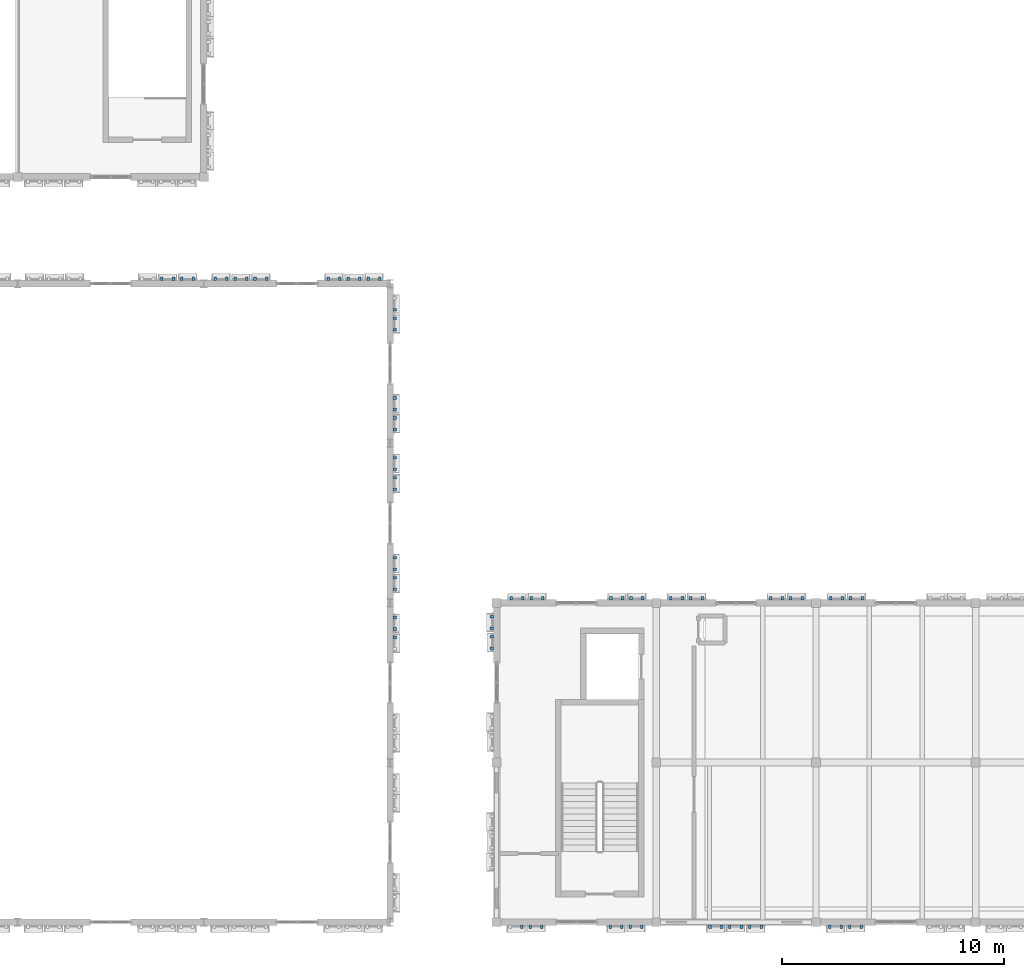
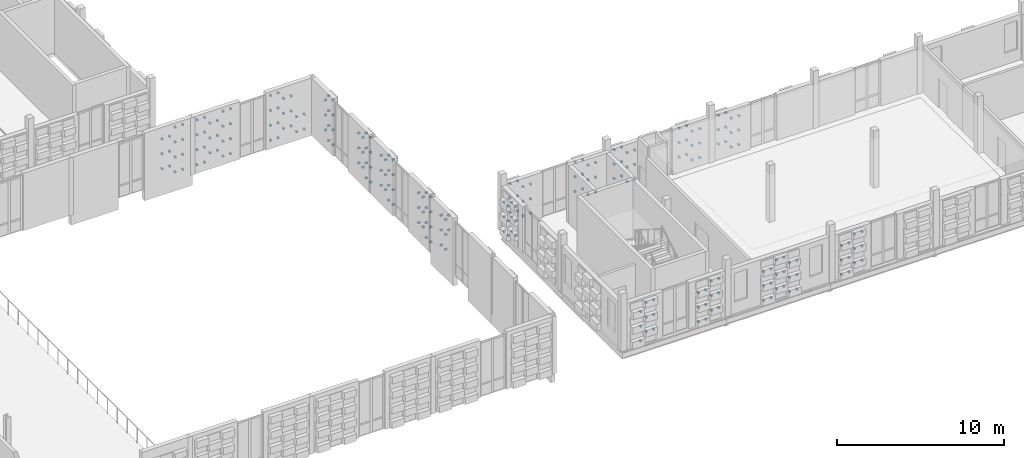
# One storey, part 68 of 81: 238 discrete accessories.
"""IFC4 building model written with IfcOpenShell, lengths in metres."""

from ifc_helpers import new_model, si_unit, direction, frame, origin, origin_2d, place, context, subcontext, project, spatial, rectangle, extrude, material, type_object, element, save


model = new_model("IFC4")

# Units and contexts
model_context = context("Model", 3, precision=1e-05, world=origin(), true_north=direction((0.0, 1.0)))
body_context = subcontext(model_context, "Body", "Model", "MODEL_VIEW")
ifc_project = project(units=[si_unit("LENGTHUNIT", "METRE"), si_unit("AREAUNIT", "SQUARE_METRE"), si_unit("VOLUMEUNIT", "CUBIC_METRE"), si_unit("PLANEANGLEUNIT", "RADIAN"), si_unit("MASSUNIT", "GRAM", prefix="KILO")], contexts=[model_context])

# Site, building, storey
site_placement = place(None, origin())
site = spatial("IfcSite", under=ifc_project, at=site_placement, CompositionType="ELEMENT")
building_placement = place(site_placement, origin())
building = spatial("IfcBuilding", under=site, at=building_placement, Name="Kahlenmark Community Centre", CompositionType="ELEMENT")
storey_placement = place(building_placement, frame((0.0, 0.0, 9.60009765625)))
storey = spatial("IfcBuildingStorey", under=building, at=storey_placement, Name="L02", CompositionType="ELEMENT", Elevation=9.60009765625)

# Discrete accessories
ifc_material = material(Name="Stainless steel 1.4401 rainscreen bracket", Category="steel")
discrete_accessory_type = type_object("IfcDiscreteAccessoryType", Name="DAT-BRACKET-TC", PredefinedType="BRACKET", material=ifc_material)
for number, where, z_axis, x_axis, name in (
    (1, (37.1298828125, 37.81005859375, 0.292724609375), (0.0, 0.0, 1.0), (-1.0, 0.0, 0.0), "Terracotta cassette bracket 2085.1"),
    (2, (36.610107421875, 37.81005859375, 0.292724609375), (0.0, 0.0, 1.0), (-1.0, 0.0, 0.0), "Terracotta cassette bracket 2085.2"),
    (3, (37.1298828125, 37.81005859375, 1.384765625), (0.0, 0.0, 1.0), (-1.0, 0.0, 0.0), "Terracotta cassette bracket 2087.1"),
    (4, (36.610107421875, 37.81005859375, 1.384765625), (0.0, 0.0, 1.0), (-1.0, 0.0, 0.0), "Terracotta cassette bracket 2087.2"),
    (5, (37.1298828125, 37.81005859375, 2.476806640625), (0.0, 0.0, 1.0), (-1.0, 0.0, 0.0), "Terracotta cassette bracket 2089.1"),
    (6, (36.610107421875, 37.81005859375, 2.476806640625), (0.0, 0.0, 1.0), (-1.0, 0.0, 0.0), "Terracotta cassette bracket 2089.2"),
    (7, (37.1298828125, 37.81005859375, 3.56884765625), (0.0, 0.0, 1.0), (-1.0, 0.0, 0.0), "Terracotta cassette bracket 2091.1"),
    (8, (36.610107421875, 37.81005859375, 3.56884765625), (0.0, 0.0, 1.0), (-1.0, 0.0, 0.0), "Terracotta cassette bracket 2091.2"),
    (9, (36.22998046875, 37.81005859375, 0.8388671875), (0.0, 0.0, 1.0), (-1.0, 0.0, 0.0), "Terracotta cassette bracket 2093.1"),
    (10, (35.7099609375, 37.81005859375, 0.8388671875), (0.0, 0.0, 1.0), (-1.0, 0.0, 0.0), "Terracotta cassette bracket 2093.2"),
    (11, (36.22998046875, 37.81005859375, 1.930908203125), (0.0, 0.0, 1.0), (-1.0, 0.0, 0.0), "Terracotta cassette bracket 2095.1"),
    (12, (35.7099609375, 37.81005859375, 1.930908203125), (0.0, 0.0, 1.0), (-1.0, 0.0, 0.0), "Terracotta cassette bracket 2095.2"),
    (13, (36.22998046875, 37.81005859375, 3.02294921875), (0.0, 0.0, 1.0), (-1.0, 0.0, 0.0), "Terracotta cassette bracket 2097.1"),
    (14, (35.7099609375, 37.81005859375, 3.02294921875), (0.0, 0.0, 1.0), (-1.0, 0.0, 0.0), "Terracotta cassette bracket 2097.2"),
    (15, (45.530029296875, 37.81005859375, 0.292724609375), (0.0, 0.0, 1.0), (-1.0, 0.0, 0.0), "Terracotta cassette bracket 2127.1"),
    (16, (45.010009765625, 37.81005859375, 0.292724609375), (0.0, 0.0, 1.0), (-1.0, 0.0, 0.0), "Terracotta cassette bracket 2127.2"),
    (17, (45.530029296875, 37.81005859375, 1.384765625), (0.0, 0.0, 1.0), (-1.0, 0.0, 0.0), "Terracotta cassette bracket 2129.1"),
    (18, (45.010009765625, 37.81005859375, 1.384765625), (0.0, 0.0, 1.0), (-1.0, 0.0, 0.0), "Terracotta cassette bracket 2129.2"),
    (19, (44.6298828125, 37.81005859375, 0.8388671875), (0.0, 0.0, 1.0), (-1.0, 0.0, 0.0), "Terracotta cassette bracket 2135.1"),
    (20, (44.110107421875, 37.81005859375, 0.8388671875), (0.0, 0.0, 1.0), (-1.0, 0.0, 0.0), "Terracotta cassette bracket 2135.2"),
    (21, (44.6298828125, 37.81005859375, 1.930908203125), (0.0, 0.0, 1.0), (-1.0, 0.0, 0.0), "Terracotta cassette bracket 2137.1"),
    (22, (44.110107421875, 37.81005859375, 1.930908203125), (0.0, 0.0, 1.0), (-1.0, 0.0, 0.0), "Terracotta cassette bracket 2137.2"),
    (23, (44.6298828125, 37.81005859375, 3.02294921875), (0.0, 0.0, 1.0), (-1.0, 0.0, 0.0), "Terracotta cassette bracket 2139.1"),
    (24, (44.110107421875, 37.81005859375, 3.02294921875), (0.0, 0.0, 1.0), (-1.0, 0.0, 0.0), "Terracotta cassette bracket 2139.2"),
    (25, (43.72998046875, 37.81005859375, 0.292724609375), (0.0, 0.0, 1.0), (-1.0, 0.0, 0.0), "Terracotta cassette bracket 2141.1"),
    (26, (43.2099609375, 37.81005859375, 0.292724609375), (0.0, 0.0, 1.0), (-1.0, 0.0, 0.0), "Terracotta cassette bracket 2141.2"),
    (27, (43.72998046875, 37.81005859375, 1.384765625), (0.0, 0.0, 1.0), (-1.0, 0.0, 0.0), "Terracotta cassette bracket 2143.1"),
    (28, (43.2099609375, 37.81005859375, 1.384765625), (0.0, 0.0, 1.0), (-1.0, 0.0, 0.0), "Terracotta cassette bracket 2143.2"),
    (29, (43.72998046875, 37.81005859375, 2.476806640625), (0.0, 0.0, 1.0), (-1.0, 0.0, 0.0), "Terracotta cassette bracket 2145.1"),
    (30, (43.2099609375, 37.81005859375, 2.476806640625), (0.0, 0.0, 1.0), (-1.0, 0.0, 0.0), "Terracotta cassette bracket 2145.2"),
    (31, (43.72998046875, 37.81005859375, 3.56884765625), (0.0, 0.0, 1.0), (-1.0, 0.0, 0.0), "Terracotta cassette bracket 2147.1"),
    (32, (43.2099609375, 37.81005859375, 3.56884765625), (0.0, 0.0, 1.0), (-1.0, 0.0, 0.0), "Terracotta cassette bracket 2147.2"),
    (33, (40.429931640625, 37.81005859375, 0.292724609375), (0.0, 0.0, 1.0), (-1.0, 0.0, 0.0), "Terracotta cassette bracket 2148.1"),
    (34, (39.909912109375, 37.81005859375, 0.292724609375), (0.0, 0.0, 1.0), (-1.0, 0.0, 0.0), "Terracotta cassette bracket 2148.2"),
    (35, (40.429931640625, 37.81005859375, 1.384765625), (0.0, 0.0, 1.0), (-1.0, 0.0, 0.0), "Terracotta cassette bracket 2150.1"),
    (36, (39.909912109375, 37.81005859375, 1.384765625), (0.0, 0.0, 1.0), (-1.0, 0.0, 0.0), "Terracotta cassette bracket 2150.2"),
    (37, (40.429931640625, 37.81005859375, 2.476806640625), (0.0, 0.0, 1.0), (-1.0, 0.0, 0.0), "Terracotta cassette bracket 2152.1"),
    (38, (39.909912109375, 37.81005859375, 2.476806640625), (0.0, 0.0, 1.0), (-1.0, 0.0, 0.0), "Terracotta cassette bracket 2152.2"),
    (39, (40.429931640625, 37.81005859375, 3.56884765625), (0.0, 0.0, 1.0), (-1.0, 0.0, 0.0), "Terracotta cassette bracket 2154.1"),
    (40, (39.909912109375, 37.81005859375, 3.56884765625), (0.0, 0.0, 1.0), (-1.0, 0.0, 0.0), "Terracotta cassette bracket 2154.2"),
    (41, (39.530029296875, 37.81005859375, 0.8388671875), (0.0, 0.0, 1.0), (-1.0, 0.0, 0.0), "Terracotta cassette bracket 2156.1"),
    (42, (39.010009765625, 37.81005859375, 0.8388671875), (0.0, 0.0, 1.0), (-1.0, 0.0, 0.0), "Terracotta cassette bracket 2156.2"),
    (43, (39.530029296875, 37.81005859375, 1.930908203125), (0.0, 0.0, 1.0), (-1.0, 0.0, 0.0), "Terracotta cassette bracket 2158.1"),
    (44, (39.010009765625, 37.81005859375, 1.930908203125), (0.0, 0.0, 1.0), (-1.0, 0.0, 0.0), "Terracotta cassette bracket 2158.2"),
    (45, (39.530029296875, 37.81005859375, 3.02294921875), (0.0, 0.0, 1.0), (-1.0, 0.0, 0.0), "Terracotta cassette bracket 2160.1"),
    (46, (39.010009765625, 37.81005859375, 3.02294921875), (0.0, 0.0, 1.0), (-1.0, 0.0, 0.0), "Terracotta cassette bracket 2160.2"),
    (47, (38.6298828125, 37.81005859375, 0.292724609375), (0.0, 0.0, 1.0), (-1.0, 0.0, 0.0), "Terracotta cassette bracket 2162.1"),
    (48, (38.110107421875, 37.81005859375, 0.292724609375), (0.0, 0.0, 1.0), (-1.0, 0.0, 0.0), "Terracotta cassette bracket 2162.2"),
    (49, (38.6298828125, 37.81005859375, 1.384765625), (0.0, 0.0, 1.0), (-1.0, 0.0, 0.0), "Terracotta cassette bracket 2164.1"),
    (50, (38.110107421875, 37.81005859375, 1.384765625), (0.0, 0.0, 1.0), (-1.0, 0.0, 0.0), "Terracotta cassette bracket 2164.2"),
    (51, (38.6298828125, 37.81005859375, 2.476806640625), (0.0, 0.0, 1.0), (-1.0, 0.0, 0.0), "Terracotta cassette bracket 2166.1"),
    (52, (38.110107421875, 37.81005859375, 2.476806640625), (0.0, 0.0, 1.0), (-1.0, 0.0, 0.0), "Terracotta cassette bracket 2166.2"),
    (53, (38.6298828125, 37.81005859375, 3.56884765625), (0.0, 0.0, 1.0), (-1.0, 0.0, 0.0), "Terracotta cassette bracket 2168.1"),
    (54, (38.110107421875, 37.81005859375, 3.56884765625), (0.0, 0.0, 1.0), (-1.0, 0.0, 0.0), "Terracotta cassette bracket 2168.2"),
    (55, (46.2099609375, 21.639892578125, 2.476806640625), (0.0, 0.0, 1.0), (0.0, 1.0, 0.0), "Terracotta cassette bracket 2251.2"),
    (56, (46.2099609375, 21.639892578125, 3.56884765625), (0.0, 0.0, 1.0), (0.0, 1.0, 0.0), "Terracotta cassette bracket 2253.2"),
    (57, (46.2099609375, 22.02001953125, 0.8388671875), (0.0, 0.0, 1.0), (0.0, 1.0, 0.0), "Terracotta cassette bracket 2255.1"),
    (58, (46.2099609375, 22.5400390625, 0.8388671875), (0.0, 0.0, 1.0), (0.0, 1.0, 0.0), "Terracotta cassette bracket 2255.2"),
    (59, (46.2099609375, 22.02001953125, 1.930908203125), (0.0, 0.0, 1.0), (0.0, 1.0, 0.0), "Terracotta cassette bracket 2257.1"),
    (60, (46.2099609375, 22.5400390625, 1.930908203125), (0.0, 0.0, 1.0), (0.0, 1.0, 0.0), "Terracotta cassette bracket 2257.2"),
    (61, (46.2099609375, 22.02001953125, 3.02294921875), (0.0, 0.0, 1.0), (0.0, 1.0, 0.0), "Terracotta cassette bracket 2259.1"),
    (62, (46.2099609375, 22.5400390625, 3.02294921875), (0.0, 0.0, 1.0), (0.0, 1.0, 0.0), "Terracotta cassette bracket 2259.2"),
    (63, (46.2099609375, 23.820068359375, 0.292724609375), (0.0, 0.0, 1.0), (0.0, 1.0, 0.0), "Terracotta cassette bracket 2261.1"),
    (64, (46.2099609375, 24.340087890625, 0.292724609375), (0.0, 0.0, 1.0), (0.0, 1.0, 0.0), "Terracotta cassette bracket 2261.2"),
    (65, (46.2099609375, 23.820068359375, 1.384765625), (0.0, 0.0, 1.0), (0.0, 1.0, 0.0), "Terracotta cassette bracket 2263.1"),
    (66, (46.2099609375, 24.340087890625, 1.384765625), (0.0, 0.0, 1.0), (0.0, 1.0, 0.0), "Terracotta cassette bracket 2263.2"),
    (67, (46.2099609375, 23.820068359375, 2.476806640625), (0.0, 0.0, 1.0), (0.0, 1.0, 0.0), "Terracotta cassette bracket 2265.1"),
    (68, (46.2099609375, 24.340087890625, 2.476806640625), (0.0, 0.0, 1.0), (0.0, 1.0, 0.0), "Terracotta cassette bracket 2265.2"),
    (69, (46.2099609375, 23.820068359375, 3.56884765625), (0.0, 0.0, 1.0), (0.0, 1.0, 0.0), "Terracotta cassette bracket 2267.1"),
    (70, (46.2099609375, 24.340087890625, 3.56884765625), (0.0, 0.0, 1.0), (0.0, 1.0, 0.0), "Terracotta cassette bracket 2267.2"),
    (71, (46.2099609375, 24.719970703125, 0.8388671875), (0.0, 0.0, 1.0), (0.0, 1.0, 0.0), "Terracotta cassette bracket 2269.1"),
    (72, (46.2099609375, 25.239990234375, 0.8388671875), (0.0, 0.0, 1.0), (0.0, 1.0, 0.0), "Terracotta cassette bracket 2269.2"),
    (73, (46.2099609375, 24.719970703125, 1.930908203125), (0.0, 0.0, 1.0), (0.0, 1.0, 0.0), "Terracotta cassette bracket 2271.1"),
    (74, (46.2099609375, 25.239990234375, 1.930908203125), (0.0, 0.0, 1.0), (0.0, 1.0, 0.0), "Terracotta cassette bracket 2271.2"),
    (75, (46.2099609375, 24.719970703125, 3.02294921875), (0.0, 0.0, 1.0), (0.0, 1.0, 0.0), "Terracotta cassette bracket 2273.1"),
    (76, (46.2099609375, 25.239990234375, 3.02294921875), (0.0, 0.0, 1.0), (0.0, 1.0, 0.0), "Terracotta cassette bracket 2273.2"),
    (77, (46.2099609375, 28.320068359375, 0.292724609375), (0.0, 0.0, 1.0), (0.0, 1.0, 0.0), "Terracotta cassette bracket 2275.1"),
    (78, (46.2099609375, 28.840087890625, 0.292724609375), (0.0, 0.0, 1.0), (0.0, 1.0, 0.0), "Terracotta cassette bracket 2275.2"),
    (79, (46.2099609375, 28.320068359375, 1.384765625), (0.0, 0.0, 1.0), (0.0, 1.0, 0.0), "Terracotta cassette bracket 2277.1"),
    (80, (46.2099609375, 28.840087890625, 1.384765625), (0.0, 0.0, 1.0), (0.0, 1.0, 0.0), "Terracotta cassette bracket 2277.2"),
    (81, (46.2099609375, 28.320068359375, 2.476806640625), (0.0, 0.0, 1.0), (0.0, 1.0, 0.0), "Terracotta cassette bracket 2279.1"),
    (82, (46.2099609375, 28.840087890625, 2.476806640625), (0.0, 0.0, 1.0), (0.0, 1.0, 0.0), "Terracotta cassette bracket 2279.2"),
    (83, (46.2099609375, 28.320068359375, 3.56884765625), (0.0, 0.0, 1.0), (0.0, 1.0, 0.0), "Terracotta cassette bracket 2281.1"),
    (84, (46.2099609375, 28.840087890625, 3.56884765625), (0.0, 0.0, 1.0), (0.0, 1.0, 0.0), "Terracotta cassette bracket 2281.2"),
    (85, (46.2099609375, 29.219970703125, 0.8388671875), (0.0, 0.0, 1.0), (0.0, 1.0, 0.0), "Terracotta cassette bracket 2283.1"),
    (86, (46.2099609375, 29.739990234375, 0.8388671875), (0.0, 0.0, 1.0), (0.0, 1.0, 0.0), "Terracotta cassette bracket 2283.2"),
    (87, (46.2099609375, 29.219970703125, 1.930908203125), (0.0, 0.0, 1.0), (0.0, 1.0, 0.0), "Terracotta cassette bracket 2285.1"),
    (88, (46.2099609375, 29.739990234375, 1.930908203125), (0.0, 0.0, 1.0), (0.0, 1.0, 0.0), "Terracotta cassette bracket 2285.2"),
    (89, (46.2099609375, 29.219970703125, 3.02294921875), (0.0, 0.0, 1.0), (0.0, 1.0, 0.0), "Terracotta cassette bracket 2287.1"),
    (90, (46.2099609375, 29.739990234375, 3.02294921875), (0.0, 0.0, 1.0), (0.0, 1.0, 0.0), "Terracotta cassette bracket 2287.2"),
    (91, (46.2099609375, 31.02001953125, 0.292724609375), (0.0, 0.0, 1.0), (0.0, 1.0, 0.0), "Terracotta cassette bracket 2289.1"),
    (92, (46.2099609375, 31.5400390625, 0.292724609375), (0.0, 0.0, 1.0), (0.0, 1.0, 0.0), "Terracotta cassette bracket 2289.2"),
    (93, (46.2099609375, 31.02001953125, 1.384765625), (0.0, 0.0, 1.0), (0.0, 1.0, 0.0), "Terracotta cassette bracket 2291.1"),
    (94, (46.2099609375, 31.5400390625, 1.384765625), (0.0, 0.0, 1.0), (0.0, 1.0, 0.0), "Terracotta cassette bracket 2291.2"),
    (95, (46.2099609375, 31.02001953125, 2.476806640625), (0.0, 0.0, 1.0), (0.0, 1.0, 0.0), "Terracotta cassette bracket 2293.1"),
    (96, (46.2099609375, 31.5400390625, 2.476806640625), (0.0, 0.0, 1.0), (0.0, 1.0, 0.0), "Terracotta cassette bracket 2293.2"),
    (97, (46.2099609375, 31.02001953125, 3.56884765625), (0.0, 0.0, 1.0), (0.0, 1.0, 0.0), "Terracotta cassette bracket 2295.1"),
    (98, (46.2099609375, 31.5400390625, 3.56884765625), (0.0, 0.0, 1.0), (0.0, 1.0, 0.0), "Terracotta cassette bracket 2295.2"),
    (99, (46.2099609375, 31.919921875, 0.8388671875), (0.0, 0.0, 1.0), (0.0, 1.0, 0.0), "Terracotta cassette bracket 2297.1"),
    (100, (46.2099609375, 32.43994140625, 0.8388671875), (0.0, 0.0, 1.0), (0.0, 1.0, 0.0), "Terracotta cassette bracket 2297.2"),
    (101, (46.2099609375, 31.919921875, 1.930908203125), (0.0, 0.0, 1.0), (0.0, 1.0, 0.0), "Terracotta cassette bracket 2299.1"),
    (102, (46.2099609375, 32.43994140625, 1.930908203125), (0.0, 0.0, 1.0), (0.0, 1.0, 0.0), "Terracotta cassette bracket 2299.2"),
    (103, (46.2099609375, 31.919921875, 3.02294921875), (0.0, 0.0, 1.0), (0.0, 1.0, 0.0), "Terracotta cassette bracket 2301.1"),
    (104, (46.2099609375, 32.43994140625, 3.02294921875), (0.0, 0.0, 1.0), (0.0, 1.0, 0.0), "Terracotta cassette bracket 2301.2"),
    (105, (46.2099609375, 35.52001953125, 0.292724609375), (0.0, 0.0, 1.0), (0.0, 1.0, 0.0), "Terracotta cassette bracket 2303.1"),
    (106, (46.2099609375, 36.0400390625, 0.292724609375), (0.0, 0.0, 1.0), (0.0, 1.0, 0.0), "Terracotta cassette bracket 2303.2"),
    (107, (46.2099609375, 35.52001953125, 1.384765625), (0.0, 0.0, 1.0), (0.0, 1.0, 0.0), "Terracotta cassette bracket 2305.1"),
    (108, (46.2099609375, 36.0400390625, 1.384765625), (0.0, 0.0, 1.0), (0.0, 1.0, 0.0), "Terracotta cassette bracket 2305.2"),
    (109, (46.2099609375, 35.52001953125, 2.476806640625), (0.0, 0.0, 1.0), (0.0, 1.0, 0.0), "Terracotta cassette bracket 2307.1"),
    (110, (46.2099609375, 36.0400390625, 2.476806640625), (0.0, 0.0, 1.0), (0.0, 1.0, 0.0), "Terracotta cassette bracket 2307.2"),
    (111, (46.2099609375, 35.52001953125, 3.56884765625), (0.0, 0.0, 1.0), (0.0, 1.0, 0.0), "Terracotta cassette bracket 2309.1"),
    (112, (46.2099609375, 36.0400390625, 3.56884765625), (0.0, 0.0, 1.0), (0.0, 1.0, 0.0), "Terracotta cassette bracket 2309.2"),
    (113, (46.2099609375, 36.419921875, 0.8388671875), (0.0, 0.0, 1.0), (0.0, 1.0, 0.0), "Terracotta cassette bracket 2311.1"),
    (114, (46.2099609375, 36.419921875, 1.930908203125), (0.0, 0.0, 1.0), (0.0, 1.0, 0.0), "Terracotta cassette bracket 2313.1"),
    (115, (46.2099609375, 36.419921875, 3.02294921875), (0.0, 0.0, 1.0), (0.0, 1.0, 0.0), "Terracotta cassette bracket 2315.1"),
    (116, (51.93994140625, 8.590087890625, 0.287353515625), (0.0, 0.0, 1.0), (1.0, 0.0, 0.0), "Terracotta cassette bracket 2761.2"),
    (117, (51.93994140625, 8.590087890625, 1.357421875), (0.0, 0.0, 1.0), (1.0, 0.0, 0.0), "Terracotta cassette bracket 2763.2"),
    (118, (51.93994140625, 8.590087890625, 2.42724609375), (0.0, 0.0, 1.0), (1.0, 0.0, 0.0), "Terracotta cassette bracket 2765.2"),
    (119, (52.320068359375, 8.590087890625, 0.822265625), (0.0, 0.0, 1.0), (1.0, 0.0, 0.0), "Terracotta cassette bracket 2768.1"),
    (120, (52.840087890625, 8.590087890625, 0.822265625), (0.0, 0.0, 1.0), (1.0, 0.0, 0.0), "Terracotta cassette bracket 2768.2"),
    (121, (52.320068359375, 8.590087890625, 1.892333984375), (0.0, 0.0, 1.0), (1.0, 0.0, 0.0), "Terracotta cassette bracket 2770.1"),
    (122, (52.840087890625, 8.590087890625, 1.892333984375), (0.0, 0.0, 1.0), (1.0, 0.0, 0.0), "Terracotta cassette bracket 2770.2"),
    (123, (52.320068359375, 8.590087890625, 2.96240234375), (0.0, 0.0, 1.0), (1.0, 0.0, 0.0), "Terracotta cassette bracket 2772.1"),
    (124, (52.840087890625, 8.590087890625, 2.96240234375), (0.0, 0.0, 1.0), (1.0, 0.0, 0.0), "Terracotta cassette bracket 2772.2"),
    (125, (55.919921875, 8.590087890625, 0.287353515625), (0.0, 0.0, 1.0), (1.0, 0.0, 0.0), "Terracotta cassette bracket 2773.1"),
    (126, (56.43994140625, 8.590087890625, 0.287353515625), (0.0, 0.0, 1.0), (1.0, 0.0, 0.0), "Terracotta cassette bracket 2773.2"),
    (127, (55.919921875, 8.590087890625, 1.357421875), (0.0, 0.0, 1.0), (1.0, 0.0, 0.0), "Terracotta cassette bracket 2775.1"),
    (128, (56.43994140625, 8.590087890625, 1.357421875), (0.0, 0.0, 1.0), (1.0, 0.0, 0.0), "Terracotta cassette bracket 2775.2"),
    (129, (55.919921875, 8.590087890625, 2.42724609375), (0.0, 0.0, 1.0), (1.0, 0.0, 0.0), "Terracotta cassette bracket 2777.1"),
    (130, (56.43994140625, 8.590087890625, 2.42724609375), (0.0, 0.0, 1.0), (1.0, 0.0, 0.0), "Terracotta cassette bracket 2777.2"),
    (131, (56.820068359375, 8.590087890625, 0.822265625), (0.0, 0.0, 1.0), (1.0, 0.0, 0.0), "Terracotta cassette bracket 2780.1"),
    (132, (57.340087890625, 8.590087890625, 0.822265625), (0.0, 0.0, 1.0), (1.0, 0.0, 0.0), "Terracotta cassette bracket 2780.2"),
    (133, (56.820068359375, 8.590087890625, 1.892333984375), (0.0, 0.0, 1.0), (1.0, 0.0, 0.0), "Terracotta cassette bracket 2782.1"),
    (134, (57.340087890625, 8.590087890625, 1.892333984375), (0.0, 0.0, 1.0), (1.0, 0.0, 0.0), "Terracotta cassette bracket 2782.2"),
    (135, (56.820068359375, 8.590087890625, 2.96240234375), (0.0, 0.0, 1.0), (1.0, 0.0, 0.0), "Terracotta cassette bracket 2784.1"),
    (136, (57.340087890625, 8.590087890625, 2.96240234375), (0.0, 0.0, 1.0), (1.0, 0.0, 0.0), "Terracotta cassette bracket 2784.2"),
    (137, (60.419921875, 8.590087890625, 0.283935546875), (0.0, 0.0, 1.0), (1.0, 0.0, 0.0), "Terracotta cassette bracket 2785.1"),
    (138, (60.93994140625, 8.590087890625, 0.283935546875), (0.0, 0.0, 1.0), (1.0, 0.0, 0.0), "Terracotta cassette bracket 2785.2"),
    (139, (60.419921875, 8.590087890625, 1.33984375), (0.0, 0.0, 1.0), (1.0, 0.0, 0.0), "Terracotta cassette bracket 2787.1"),
    (140, (60.93994140625, 8.590087890625, 1.33984375), (0.0, 0.0, 1.0), (1.0, 0.0, 0.0), "Terracotta cassette bracket 2787.2"),
    (141, (60.419921875, 8.590087890625, 2.395751953125), (0.0, 0.0, 1.0), (1.0, 0.0, 0.0), "Terracotta cassette bracket 2789.1"),
    (142, (60.93994140625, 8.590087890625, 2.395751953125), (0.0, 0.0, 1.0), (1.0, 0.0, 0.0), "Terracotta cassette bracket 2789.2"),
    (143, (61.320068359375, 8.590087890625, 0.811767578125), (0.0, 0.0, 1.0), (1.0, 0.0, 0.0), "Terracotta cassette bracket 2792.1"),
    (144, (61.840087890625, 8.590087890625, 0.811767578125), (0.0, 0.0, 1.0), (1.0, 0.0, 0.0), "Terracotta cassette bracket 2792.2"),
    (145, (61.320068359375, 8.590087890625, 1.867919921875), (0.0, 0.0, 1.0), (1.0, 0.0, 0.0), "Terracotta cassette bracket 2794.1"),
    (146, (61.840087890625, 8.590087890625, 1.867919921875), (0.0, 0.0, 1.0), (1.0, 0.0, 0.0), "Terracotta cassette bracket 2794.2"),
    (147, (61.320068359375, 8.590087890625, 2.923828125), (0.0, 0.0, 1.0), (1.0, 0.0, 0.0), "Terracotta cassette bracket 2796.1"),
    (148, (61.840087890625, 8.590087890625, 2.923828125), (0.0, 0.0, 1.0), (1.0, 0.0, 0.0), "Terracotta cassette bracket 2796.2"),
    (149, (62.219970703125, 8.590087890625, 0.283935546875), (0.0, 0.0, 1.0), (1.0, 0.0, 0.0), "Terracotta cassette bracket 2797.1"),
    (150, (62.739990234375, 8.590087890625, 0.283935546875), (0.0, 0.0, 1.0), (1.0, 0.0, 0.0), "Terracotta cassette bracket 2797.2"),
    (151, (62.219970703125, 8.590087890625, 1.33984375), (0.0, 0.0, 1.0), (1.0, 0.0, 0.0), "Terracotta cassette bracket 2799.1"),
    (152, (62.739990234375, 8.590087890625, 1.33984375), (0.0, 0.0, 1.0), (1.0, 0.0, 0.0), "Terracotta cassette bracket 2799.2"),
    (153, (62.219970703125, 8.590087890625, 2.395751953125), (0.0, 0.0, 1.0), (1.0, 0.0, 0.0), "Terracotta cassette bracket 2801.1"),
    (154, (62.739990234375, 8.590087890625, 2.395751953125), (0.0, 0.0, 1.0), (1.0, 0.0, 0.0), "Terracotta cassette bracket 2801.2"),
    (155, (65.820068359375, 8.590087890625, 0.283935546875), (0.0, 0.0, 1.0), (1.0, 0.0, 0.0), "Terracotta cassette bracket 2803.1"),
    (156, (66.340087890625, 8.590087890625, 0.283935546875), (0.0, 0.0, 1.0), (1.0, 0.0, 0.0), "Terracotta cassette bracket 2803.2"),
    (157, (65.820068359375, 8.590087890625, 1.33984375), (0.0, 0.0, 1.0), (1.0, 0.0, 0.0), "Terracotta cassette bracket 2805.1"),
    (158, (66.340087890625, 8.590087890625, 1.33984375), (0.0, 0.0, 1.0), (1.0, 0.0, 0.0), "Terracotta cassette bracket 2805.2"),
    (159, (65.820068359375, 8.590087890625, 2.395751953125), (0.0, 0.0, 1.0), (1.0, 0.0, 0.0), "Terracotta cassette bracket 2807.1"),
    (160, (66.340087890625, 8.590087890625, 2.395751953125), (0.0, 0.0, 1.0), (1.0, 0.0, 0.0), "Terracotta cassette bracket 2807.2"),
    (161, (66.719970703125, 8.590087890625, 0.811767578125), (0.0, 0.0, 1.0), (1.0, 0.0, 0.0), "Terracotta cassette bracket 2810.1"),
    (162, (67.239990234375, 8.590087890625, 0.811767578125), (0.0, 0.0, 1.0), (1.0, 0.0, 0.0), "Terracotta cassette bracket 2810.2"),
    (163, (66.719970703125, 8.590087890625, 1.867919921875), (0.0, 0.0, 1.0), (1.0, 0.0, 0.0), "Terracotta cassette bracket 2812.1"),
    (164, (67.239990234375, 8.590087890625, 1.867919921875), (0.0, 0.0, 1.0), (1.0, 0.0, 0.0), "Terracotta cassette bracket 2812.2"),
    (165, (66.719970703125, 8.590087890625, 2.923828125), (0.0, 0.0, 1.0), (1.0, 0.0, 0.0), "Terracotta cassette bracket 2814.1"),
    (166, (67.239990234375, 8.590087890625, 2.923828125), (0.0, 0.0, 1.0), (1.0, 0.0, 0.0), "Terracotta cassette bracket 2814.2"),
    (167, (57.3798828125, 23.409912109375, 0.287353515625), (0.0, 0.0, 1.0), (-1.0, 0.0, 0.0), "Terracotta cassette bracket 2869.1"),
    (168, (56.860107421875, 23.409912109375, 0.287353515625), (0.0, 0.0, 1.0), (-1.0, 0.0, 0.0), "Terracotta cassette bracket 2869.2"),
    (169, (57.3798828125, 23.409912109375, 1.357421875), (0.0, 0.0, 1.0), (-1.0, 0.0, 0.0), "Terracotta cassette bracket 2871.1"),
    (170, (56.860107421875, 23.409912109375, 1.357421875), (0.0, 0.0, 1.0), (-1.0, 0.0, 0.0), "Terracotta cassette bracket 2871.2"),
    (171, (57.3798828125, 23.409912109375, 2.42724609375), (0.0, 0.0, 1.0), (-1.0, 0.0, 0.0), "Terracotta cassette bracket 2873.1"),
    (172, (56.860107421875, 23.409912109375, 2.42724609375), (0.0, 0.0, 1.0), (-1.0, 0.0, 0.0), "Terracotta cassette bracket 2873.2"),
    (173, (56.47998046875, 23.409912109375, 0.822265625), (0.0, 0.0, 1.0), (-1.0, 0.0, 0.0), "Terracotta cassette bracket 2876.1"),
    (174, (55.9599609375, 23.409912109375, 0.822265625), (0.0, 0.0, 1.0), (-1.0, 0.0, 0.0), "Terracotta cassette bracket 2876.2"),
    (175, (56.47998046875, 23.409912109375, 1.892333984375), (0.0, 0.0, 1.0), (-1.0, 0.0, 0.0), "Terracotta cassette bracket 2878.1"),
    (176, (55.9599609375, 23.409912109375, 1.892333984375), (0.0, 0.0, 1.0), (-1.0, 0.0, 0.0), "Terracotta cassette bracket 2878.2"),
    (177, (56.47998046875, 23.409912109375, 2.96240234375), (0.0, 0.0, 1.0), (-1.0, 0.0, 0.0), "Terracotta cassette bracket 2880.1"),
    (178, (55.9599609375, 23.409912109375, 2.96240234375), (0.0, 0.0, 1.0), (-1.0, 0.0, 0.0), "Terracotta cassette bracket 2880.2"),
    (179, (52.8798828125, 23.409912109375, 0.287353515625), (0.0, 0.0, 1.0), (-1.0, 0.0, 0.0), "Terracotta cassette bracket 2881.1"),
    (180, (52.360107421875, 23.409912109375, 0.287353515625), (0.0, 0.0, 1.0), (-1.0, 0.0, 0.0), "Terracotta cassette bracket 2881.2"),
    (181, (52.8798828125, 23.409912109375, 1.357421875), (0.0, 0.0, 1.0), (-1.0, 0.0, 0.0), "Terracotta cassette bracket 2883.1"),
    (182, (52.360107421875, 23.409912109375, 1.357421875), (0.0, 0.0, 1.0), (-1.0, 0.0, 0.0), "Terracotta cassette bracket 2883.2"),
    (183, (52.8798828125, 23.409912109375, 2.42724609375), (0.0, 0.0, 1.0), (-1.0, 0.0, 0.0), "Terracotta cassette bracket 2885.1"),
    (184, (52.360107421875, 23.409912109375, 2.42724609375), (0.0, 0.0, 1.0), (-1.0, 0.0, 0.0), "Terracotta cassette bracket 2885.2"),
    (185, (51.97998046875, 23.409912109375, 0.822265625), (0.0, 0.0, 1.0), (-1.0, 0.0, 0.0), "Terracotta cassette bracket 2888.1"),
    (186, (51.4599609375, 23.409912109375, 0.822265625), (0.0, 0.0, 1.0), (-1.0, 0.0, 0.0), "Terracotta cassette bracket 2888.2"),
    (187, (51.97998046875, 23.409912109375, 1.892333984375), (0.0, 0.0, 1.0), (-1.0, 0.0, 0.0), "Terracotta cassette bracket 2890.1"),
    (188, (51.4599609375, 23.409912109375, 1.892333984375), (0.0, 0.0, 1.0), (-1.0, 0.0, 0.0), "Terracotta cassette bracket 2890.2"),
    (189, (51.97998046875, 23.409912109375, 2.96240234375), (0.0, 0.0, 1.0), (-1.0, 0.0, 0.0), "Terracotta cassette bracket 2892.1"),
    (190, (51.4599609375, 23.409912109375, 2.96240234375), (0.0, 0.0, 1.0), (-1.0, 0.0, 0.0), "Terracotta cassette bracket 2892.2"),
    (191, (64.580078125, 23.409912109375, 0.283935546875), (0.0, 0.0, 1.0), (-1.0, 0.0, 0.0), "Terracotta cassette bracket 2893.1"),
    (192, (64.06005859375, 23.409912109375, 0.283935546875), (0.0, 0.0, 1.0), (-1.0, 0.0, 0.0), "Terracotta cassette bracket 2893.2"),
    (193, (64.580078125, 23.409912109375, 1.33984375), (0.0, 0.0, 1.0), (-1.0, 0.0, 0.0), "Terracotta cassette bracket 2895.1"),
    (194, (64.06005859375, 23.409912109375, 1.33984375), (0.0, 0.0, 1.0), (-1.0, 0.0, 0.0), "Terracotta cassette bracket 2895.2"),
    (195, (64.580078125, 23.409912109375, 2.395751953125), (0.0, 0.0, 1.0), (-1.0, 0.0, 0.0), "Terracotta cassette bracket 2897.1"),
    (196, (64.06005859375, 23.409912109375, 2.395751953125), (0.0, 0.0, 1.0), (-1.0, 0.0, 0.0), "Terracotta cassette bracket 2897.2"),
    (197, (63.679931640625, 23.409912109375, 0.811767578125), (0.0, 0.0, 1.0), (-1.0, 0.0, 0.0), "Terracotta cassette bracket 2900.1"),
    (198, (63.159912109375, 23.409912109375, 0.811767578125), (0.0, 0.0, 1.0), (-1.0, 0.0, 0.0), "Terracotta cassette bracket 2900.2"),
    (199, (63.679931640625, 23.409912109375, 1.867919921875), (0.0, 0.0, 1.0), (-1.0, 0.0, 0.0), "Terracotta cassette bracket 2902.1"),
    (200, (63.159912109375, 23.409912109375, 1.867919921875), (0.0, 0.0, 1.0), (-1.0, 0.0, 0.0), "Terracotta cassette bracket 2902.2"),
    (201, (63.679931640625, 23.409912109375, 2.923828125), (0.0, 0.0, 1.0), (-1.0, 0.0, 0.0), "Terracotta cassette bracket 2904.1"),
    (202, (63.159912109375, 23.409912109375, 2.923828125), (0.0, 0.0, 1.0), (-1.0, 0.0, 0.0), "Terracotta cassette bracket 2904.2"),
    (203, (60.080078125, 23.409912109375, 0.283935546875), (0.0, 0.0, 1.0), (-1.0, 0.0, 0.0), "Terracotta cassette bracket 2905.1"),
    (204, (59.56005859375, 23.409912109375, 0.283935546875), (0.0, 0.0, 1.0), (-1.0, 0.0, 0.0), "Terracotta cassette bracket 2905.2"),
    (205, (60.080078125, 23.409912109375, 1.33984375), (0.0, 0.0, 1.0), (-1.0, 0.0, 0.0), "Terracotta cassette bracket 2907.1"),
    (206, (59.56005859375, 23.409912109375, 1.33984375), (0.0, 0.0, 1.0), (-1.0, 0.0, 0.0), "Terracotta cassette bracket 2907.2"),
    (207, (60.080078125, 23.409912109375, 2.395751953125), (0.0, 0.0, 1.0), (-1.0, 0.0, 0.0), "Terracotta cassette bracket 2909.1"),
    (208, (59.56005859375, 23.409912109375, 2.395751953125), (0.0, 0.0, 1.0), (-1.0, 0.0, 0.0), "Terracotta cassette bracket 2909.2"),
    (209, (59.179931640625, 23.409912109375, 0.811767578125), (0.0, 0.0, 1.0), (-1.0, 0.0, 0.0), "Terracotta cassette bracket 2912.1"),
    (210, (58.659912109375, 23.409912109375, 0.811767578125), (0.0, 0.0, 1.0), (-1.0, 0.0, 0.0), "Terracotta cassette bracket 2912.2"),
    (211, (59.179931640625, 23.409912109375, 1.867919921875), (0.0, 0.0, 1.0), (-1.0, 0.0, 0.0), "Terracotta cassette bracket 2914.1"),
    (212, (58.659912109375, 23.409912109375, 1.867919921875), (0.0, 0.0, 1.0), (-1.0, 0.0, 0.0), "Terracotta cassette bracket 2914.2"),
    (213, (59.179931640625, 23.409912109375, 2.923828125), (0.0, 0.0, 1.0), (-1.0, 0.0, 0.0), "Terracotta cassette bracket 2916.1"),
    (214, (58.659912109375, 23.409912109375, 2.923828125), (0.0, 0.0, 1.0), (-1.0, 0.0, 0.0), "Terracotta cassette bracket 2916.2"),
    (215, (67.280029296875, 23.409912109375, 0.283935546875), (0.0, 0.0, 1.0), (-1.0, 0.0, 0.0), "Terracotta cassette bracket 2929.1"),
    (216, (66.760009765625, 23.409912109375, 0.283935546875), (0.0, 0.0, 1.0), (-1.0, 0.0, 0.0), "Terracotta cassette bracket 2929.2"),
    (217, (67.280029296875, 23.409912109375, 1.33984375), (0.0, 0.0, 1.0), (-1.0, 0.0, 0.0), "Terracotta cassette bracket 2931.1"),
    (218, (66.760009765625, 23.409912109375, 1.33984375), (0.0, 0.0, 1.0), (-1.0, 0.0, 0.0), "Terracotta cassette bracket 2931.2"),
    (219, (67.280029296875, 23.409912109375, 2.395751953125), (0.0, 0.0, 1.0), (-1.0, 0.0, 0.0), "Terracotta cassette bracket 2933.1"),
    (220, (66.760009765625, 23.409912109375, 2.395751953125), (0.0, 0.0, 1.0), (-1.0, 0.0, 0.0), "Terracotta cassette bracket 2933.2"),
    (221, (66.3798828125, 23.409912109375, 0.811767578125), (0.0, 0.0, 1.0), (-1.0, 0.0, 0.0), "Terracotta cassette bracket 2936.1"),
    (222, (65.860107421875, 23.409912109375, 0.811767578125), (0.0, 0.0, 1.0), (-1.0, 0.0, 0.0), "Terracotta cassette bracket 2936.2"),
    (223, (66.3798828125, 23.409912109375, 1.867919921875), (0.0, 0.0, 1.0), (-1.0, 0.0, 0.0), "Terracotta cassette bracket 2938.1"),
    (224, (65.860107421875, 23.409912109375, 1.867919921875), (0.0, 0.0, 1.0), (-1.0, 0.0, 0.0), "Terracotta cassette bracket 2938.2"),
    (225, (66.3798828125, 23.409912109375, 2.923828125), (0.0, 0.0, 1.0), (-1.0, 0.0, 0.0), "Terracotta cassette bracket 2940.1"),
    (226, (65.860107421875, 23.409912109375, 2.923828125), (0.0, 0.0, 1.0), (-1.0, 0.0, 0.0), "Terracotta cassette bracket 2940.2"),
    (227, (50.590087890625, 22.580078125, 0.287353515625), (0.0, 0.0, 1.0), (0.0, -1.0, 0.0), "Terracotta cassette bracket 3001.1"),
    (228, (50.590087890625, 22.06005859375, 0.287353515625), (0.0, 0.0, 1.0), (0.0, -1.0, 0.0), "Terracotta cassette bracket 3001.2"),
    (229, (50.590087890625, 22.580078125, 1.357421875), (0.0, 0.0, 1.0), (0.0, -1.0, 0.0), "Terracotta cassette bracket 3003.1"),
    (230, (50.590087890625, 22.06005859375, 1.357421875), (0.0, 0.0, 1.0), (0.0, -1.0, 0.0), "Terracotta cassette bracket 3003.2"),
    (231, (50.590087890625, 22.580078125, 2.42724609375), (0.0, 0.0, 1.0), (0.0, -1.0, 0.0), "Terracotta cassette bracket 3005.1"),
    (232, (50.590087890625, 22.06005859375, 2.42724609375), (0.0, 0.0, 1.0), (0.0, -1.0, 0.0), "Terracotta cassette bracket 3005.2"),
    (233, (50.590087890625, 21.679931640625, 0.822265625), (0.0, 0.0, 1.0), (0.0, -1.0, 0.0), "Terracotta cassette bracket 3008.1"),
    (234, (50.590087890625, 21.159912109375, 0.822265625), (0.0, 0.0, 1.0), (0.0, -1.0, 0.0), "Terracotta cassette bracket 3008.2"),
    (235, (50.590087890625, 21.679931640625, 1.892333984375), (0.0, 0.0, 1.0), (0.0, -1.0, 0.0), "Terracotta cassette bracket 3010.1"),
    (236, (50.590087890625, 21.159912109375, 1.892333984375), (0.0, 0.0, 1.0), (0.0, -1.0, 0.0), "Terracotta cassette bracket 3010.2"),
    (237, (50.590087890625, 21.679931640625, 2.96240234375), (0.0, 0.0, 1.0), (0.0, -1.0, 0.0), "Terracotta cassette bracket 3012.1"),
    (238, (50.590087890625, 21.159912109375, 2.96240234375), (0.0, 0.0, 1.0), (0.0, -1.0, 0.0), "Terracotta cassette bracket 3012.2"),
):
    element("IfcDiscreteAccessory", number, at=place(storey_placement, frame(where, z_axis=z_axis, x_axis=x_axis)), inside=storey, type_object=discrete_accessory_type, Name=name, PredefinedType="BRACKET", context=body_context, shape_type="SweptSolid", body=[
        extrude(rectangle(XDim=0.1201171875, YDim=0.159912109375, at=origin_2d()), origin(), (0.0, 0.0, 1.0), 0.1201171875),
    ])

save(model, "model.ifc")
